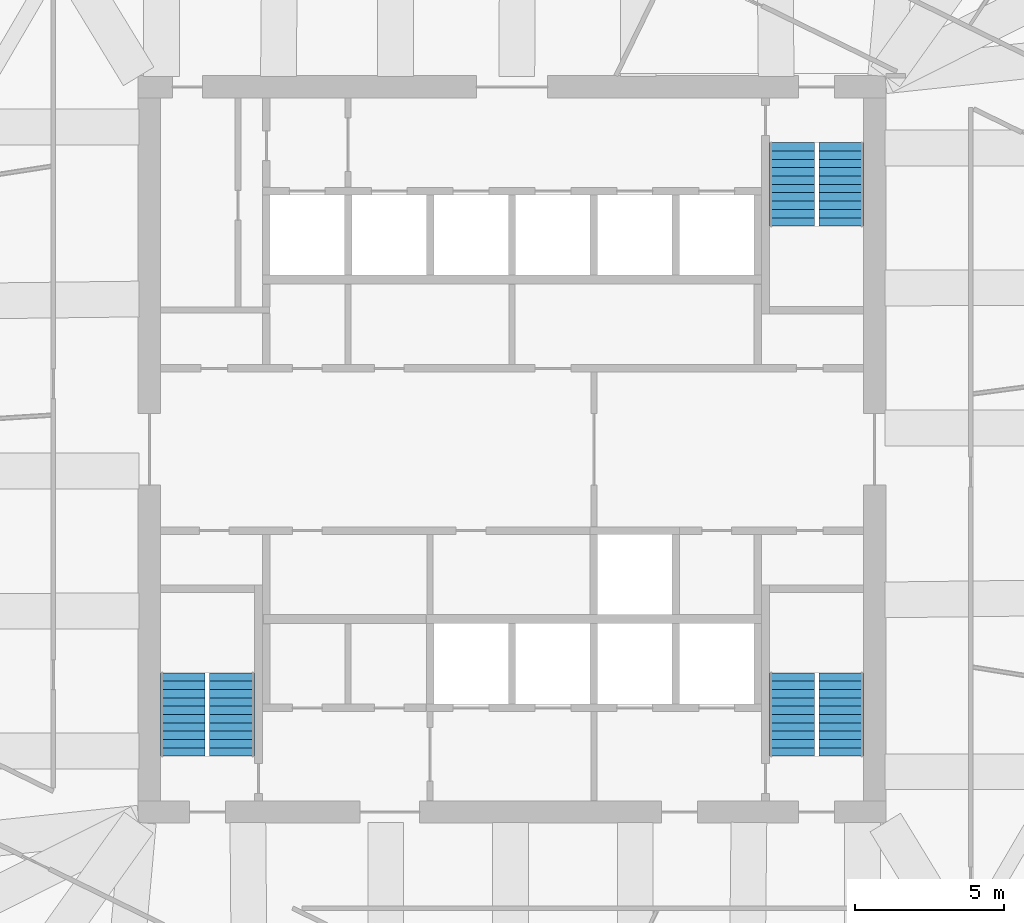
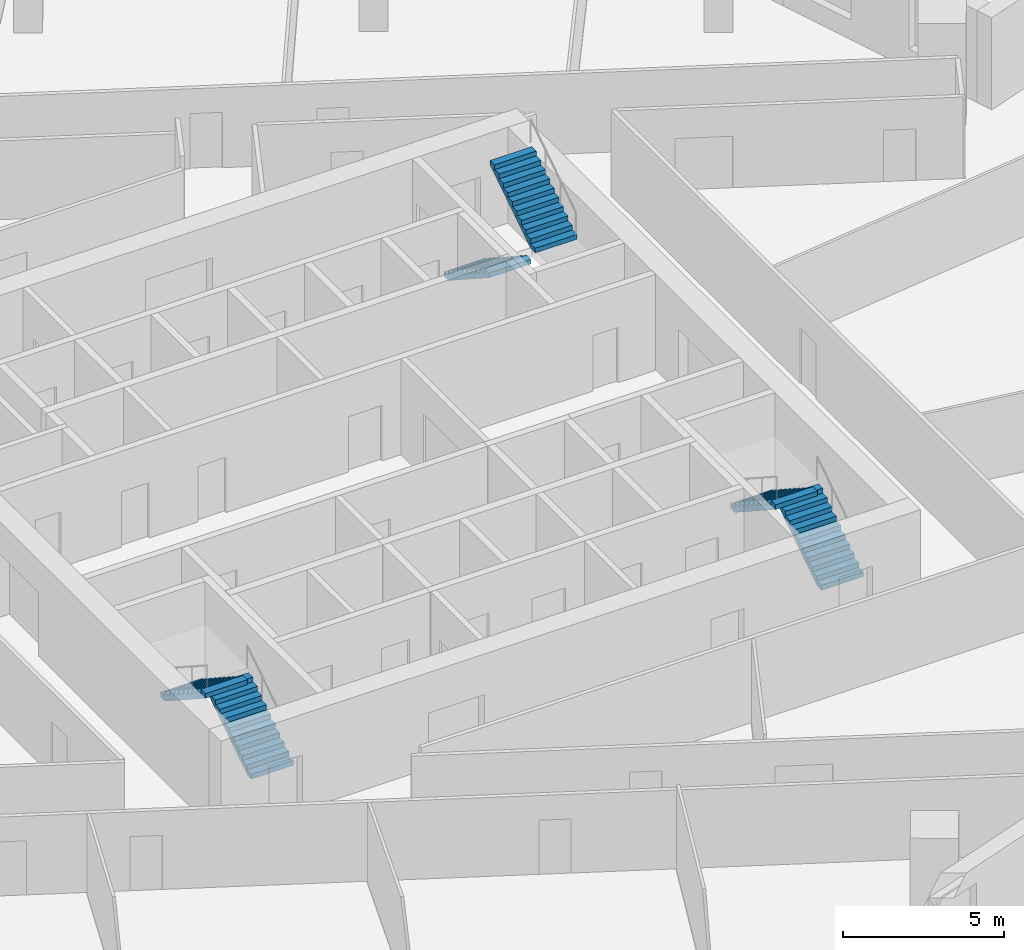
# One storey, part 11 of 13: 6 stair flights, 3 elements without a shape of their own.
"""IFC4 building model written with IfcOpenShell, lengths in metres."""

from ifc_helpers import new_model, si_unit, direction, frame, origin, place, context, subcontext, project, spatial, polyline, outline, extrude, material, type_object, element, aggregate, save


model = new_model("IFC4")

# Units and contexts
model_context = context("Model", 3, precision=1e-05, world=origin(), true_north=direction((0.0, 1.0)))
body_context = subcontext(model_context, "Body", "Model", "MODEL_VIEW")
ifc_project = project(units=[si_unit("LENGTHUNIT", "METRE"), si_unit("AREAUNIT", "SQUARE_METRE"), si_unit("VOLUMEUNIT", "CUBIC_METRE"), si_unit("PLANEANGLEUNIT", "RADIAN"), si_unit("MASSUNIT", "GRAM", prefix="KILO")], contexts=[model_context])

# Site, building, storey
site_placement = place(None, origin())
site = spatial("IfcSite", under=ifc_project, at=site_placement, CompositionType="ELEMENT")
building_placement = place(site_placement, origin())
building = spatial("IfcBuilding", under=site, at=building_placement, Name="Dilmun Exchange Tower", CompositionType="ELEMENT")
storey_placement = place(building_placement, frame((0.0, 0.0, 286.89990234375)))
storey = spatial("IfcBuildingStorey", under=building, at=storey_placement, Name="L68", CompositionType="ELEMENT", Elevation=286.89990234375)

# Stair, stair flights
ifc_material = material(Name="Concrete C40/50", Category="concrete")
stair_type = type_object("IfcStairType", Name="Exit stair 1500 half-turn", PredefinedType="HALF_TURN_STAIR", material=ifc_material)
stair_1_placement = place(storey_placement, origin())
stair_1 = element("IfcStair", 1, at=stair_1_placement, inside=storey, type_object=stair_type, Name="L68 Protected exit stair ST1", PredefinedType="HALF_TURN_STAIR")
stair_flight_type = type_object("IfcStairFlightType", Name="Exit stair flight 1500", PredefinedType="STRAIGHT", material=ifc_material)
stair_flight_1_placement = place(storey_placement, frame((9.39990234375, 10.300048828125, 0.0), z_axis=(0.0, 0.0, 1.0), x_axis=(0.0, -1.0, 0.0)))
stair_flight_1 = element("IfcStairFlight", 2, at=stair_flight_1_placement, type_object=stair_flight_type, Name="ST1 flight 1", NumberOfRisers=11, NumberOfTreads=10, PredefinedType="STRAIGHT", RiserHeight=0.181818182, TreadLength=0.28, context=body_context, shape_type="SweptSolid", body=[
    extrude(outline(polyline([(0.0, 0.0), (0.0, 0.181884765625), (0.280029296875, 0.181884765625), (0.280029296875, 0.363525390625), (0.56005859375, 0.363525390625), (0.56005859375, 0.54541015625), (0.840087890625, 0.54541015625), (0.840087890625, 0.727294921875), (1.1201171875, 0.727294921875), (1.1201171875, 0.9091796875), (1.39990234375, 0.9091796875), (1.39990234375, 1.0908203125), (1.679931640625, 1.0908203125), (1.679931640625, 1.272705078125), (1.9599609375, 1.272705078125), (1.9599609375, 1.45458984375), (2.239990234375, 1.45458984375), (2.239990234375, 1.636474609375), (2.52001953125, 1.636474609375), (2.52001953125, 1.818115234375), (2.800048828125, 1.818115234375), (2.800048828125, 2.0), (2.800048828125, 1.639404296875), (0.275146484375, 0.0), (0.0, 0.0)])), frame((0.0, 0.75, 0.0), z_axis=(0.0, -1.0, 0.0), x_axis=(1.0, 0.0, 0.0)), (0.0, 0.0, 1.0), 1.5),
])
stair_flight_2_placement = place(storey_placement, frame((11.050048828125, 7.5, 2.0), z_axis=(0.0, 0.0, 1.0), x_axis=(0.0, 1.0, 0.0)))
stair_flight_2 = element("IfcStairFlight", 3, at=stair_flight_2_placement, type_object=stair_flight_type, Name="ST1 flight 2", NumberOfRisers=11, NumberOfTreads=10, PredefinedType="STRAIGHT", RiserHeight=0.181818182, TreadLength=0.28, context=body_context, shape_type="SweptSolid", body=[
    extrude(outline(polyline([(0.0, 0.0), (0.0, 0.181884765625), (0.280029296875, 0.181884765625), (0.280029296875, 0.363525390625), (0.56005859375, 0.363525390625), (0.56005859375, 0.54541015625), (0.840087890625, 0.54541015625), (0.840087890625, 0.727294921875), (1.1201171875, 0.727294921875), (1.1201171875, 0.9091796875), (1.39990234375, 0.9091796875), (1.39990234375, 1.0908203125), (1.679931640625, 1.0908203125), (1.679931640625, 1.272705078125), (1.9599609375, 1.272705078125), (1.9599609375, 1.45458984375), (2.239990234375, 1.45458984375), (2.239990234375, 1.636474609375), (2.52001953125, 1.636474609375), (2.52001953125, 1.818115234375), (2.800048828125, 1.818115234375), (2.800048828125, 2.0), (2.800048828125, 1.639404296875), (0.275146484375, 0.0), (0.0, 0.0)])), frame((0.0, 0.75, 0.0), z_axis=(0.0, -1.0, 0.0), x_axis=(1.0, 0.0, 0.0)), (0.0, 0.0, 1.0), 1.5),
])
aggregate(stair_1, [stair_flight_1, stair_flight_2])

stair_2_placement = place(storey_placement, origin())
stair_2 = element("IfcStair", 4, at=stair_2_placement, inside=storey, type_object=stair_type, Name="L68 Protected exit stair ST2", PredefinedType="HALF_TURN_STAIR")
stair_flight_3_placement = place(storey_placement, frame((-9.39990234375, -10.300048828125, 0.0), z_axis=(0.0, 0.0, 1.0), x_axis=(0.0, 1.0, 0.0)))
stair_flight_3 = element("IfcStairFlight", 5, at=stair_flight_3_placement, type_object=stair_flight_type, Name="ST2 flight 1", NumberOfRisers=11, NumberOfTreads=10, PredefinedType="STRAIGHT", RiserHeight=0.181818182, TreadLength=0.28, context=body_context, shape_type="SweptSolid", body=[
    extrude(outline(polyline([(0.0, 0.0), (0.0, 0.181884765625), (0.280029296875, 0.181884765625), (0.280029296875, 0.363525390625), (0.56005859375, 0.363525390625), (0.56005859375, 0.54541015625), (0.840087890625, 0.54541015625), (0.840087890625, 0.727294921875), (1.1201171875, 0.727294921875), (1.1201171875, 0.9091796875), (1.39990234375, 0.9091796875), (1.39990234375, 1.0908203125), (1.679931640625, 1.0908203125), (1.679931640625, 1.272705078125), (1.9599609375, 1.272705078125), (1.9599609375, 1.45458984375), (2.239990234375, 1.45458984375), (2.239990234375, 1.636474609375), (2.52001953125, 1.636474609375), (2.52001953125, 1.818115234375), (2.800048828125, 1.818115234375), (2.800048828125, 2.0), (2.800048828125, 1.639404296875), (0.275146484375, 0.0), (0.0, 0.0)])), frame((0.0, 0.75, 0.0), z_axis=(0.0, -1.0, 0.0), x_axis=(1.0, 0.0, 0.0)), (0.0, 0.0, 1.0), 1.5),
])
stair_flight_4_placement = place(storey_placement, frame((-11.050048828125, -7.5, 2.0), z_axis=(0.0, 0.0, 1.0), x_axis=(0.0, -1.0, 0.0)))
stair_flight_4 = element("IfcStairFlight", 6, at=stair_flight_4_placement, type_object=stair_flight_type, Name="ST2 flight 2", NumberOfRisers=11, NumberOfTreads=10, PredefinedType="STRAIGHT", RiserHeight=0.181818182, TreadLength=0.28, context=body_context, shape_type="SweptSolid", body=[
    extrude(outline(polyline([(0.0, 0.0), (0.0, 0.181884765625), (0.280029296875, 0.181884765625), (0.280029296875, 0.363525390625), (0.56005859375, 0.363525390625), (0.56005859375, 0.54541015625), (0.840087890625, 0.54541015625), (0.840087890625, 0.727294921875), (1.1201171875, 0.727294921875), (1.1201171875, 0.9091796875), (1.39990234375, 0.9091796875), (1.39990234375, 1.0908203125), (1.679931640625, 1.0908203125), (1.679931640625, 1.272705078125), (1.9599609375, 1.272705078125), (1.9599609375, 1.45458984375), (2.239990234375, 1.45458984375), (2.239990234375, 1.636474609375), (2.52001953125, 1.636474609375), (2.52001953125, 1.818115234375), (2.800048828125, 1.818115234375), (2.800048828125, 2.0), (2.800048828125, 1.639404296875), (0.275146484375, 0.0), (0.0, 0.0)])), frame((0.0, 0.75, 0.0), z_axis=(0.0, -1.0, 0.0), x_axis=(1.0, 0.0, 0.0)), (0.0, 0.0, 1.0), 1.5),
])
aggregate(stair_2, [stair_flight_3, stair_flight_4])

stair_3_placement = place(storey_placement, origin())
stair_3 = element("IfcStair", 7, at=stair_3_placement, inside=storey, type_object=stair_type, Name="L68 Protected exit stair ST3", PredefinedType="HALF_TURN_STAIR")
stair_flight_5_placement = place(storey_placement, frame((11.050048828125, -10.300048828125, 0.0), z_axis=(0.0, 0.0, 1.0), x_axis=(0.0, 1.0, 0.0)))
stair_flight_5 = element("IfcStairFlight", 8, at=stair_flight_5_placement, type_object=stair_flight_type, Name="ST3 flight 1", NumberOfRisers=11, NumberOfTreads=10, PredefinedType="STRAIGHT", RiserHeight=0.181818182, TreadLength=0.28, context=body_context, shape_type="SweptSolid", body=[
    extrude(outline(polyline([(0.0, 0.0), (0.0, 0.181884765625), (0.280029296875, 0.181884765625), (0.280029296875, 0.363525390625), (0.56005859375, 0.363525390625), (0.56005859375, 0.54541015625), (0.840087890625, 0.54541015625), (0.840087890625, 0.727294921875), (1.1201171875, 0.727294921875), (1.1201171875, 0.9091796875), (1.39990234375, 0.9091796875), (1.39990234375, 1.0908203125), (1.679931640625, 1.0908203125), (1.679931640625, 1.272705078125), (1.9599609375, 1.272705078125), (1.9599609375, 1.45458984375), (2.239990234375, 1.45458984375), (2.239990234375, 1.636474609375), (2.52001953125, 1.636474609375), (2.52001953125, 1.818115234375), (2.800048828125, 1.818115234375), (2.800048828125, 2.0), (2.800048828125, 1.639404296875), (0.275146484375, 0.0), (0.0, 0.0)])), frame((0.0, 0.75, 0.0), z_axis=(0.0, -1.0, 0.0), x_axis=(1.0, 0.0, 0.0)), (0.0, 0.0, 1.0), 1.5),
])
stair_flight_6_placement = place(storey_placement, frame((9.39990234375, -7.5, 2.0), z_axis=(0.0, 0.0, 1.0), x_axis=(0.0, -1.0, 0.0)))
stair_flight_6 = element("IfcStairFlight", 9, at=stair_flight_6_placement, type_object=stair_flight_type, Name="ST3 flight 2", NumberOfRisers=11, NumberOfTreads=10, PredefinedType="STRAIGHT", RiserHeight=0.181818182, TreadLength=0.28, context=body_context, shape_type="SweptSolid", body=[
    extrude(outline(polyline([(0.0, 0.0), (0.0, 0.181884765625), (0.280029296875, 0.181884765625), (0.280029296875, 0.363525390625), (0.56005859375, 0.363525390625), (0.56005859375, 0.54541015625), (0.840087890625, 0.54541015625), (0.840087890625, 0.727294921875), (1.1201171875, 0.727294921875), (1.1201171875, 0.9091796875), (1.39990234375, 0.9091796875), (1.39990234375, 1.0908203125), (1.679931640625, 1.0908203125), (1.679931640625, 1.272705078125), (1.9599609375, 1.272705078125), (1.9599609375, 1.45458984375), (2.239990234375, 1.45458984375), (2.239990234375, 1.636474609375), (2.52001953125, 1.636474609375), (2.52001953125, 1.818115234375), (2.800048828125, 1.818115234375), (2.800048828125, 2.0), (2.800048828125, 1.639404296875), (0.275146484375, 0.0), (0.0, 0.0)])), frame((0.0, 0.75, 0.0), z_axis=(0.0, -1.0, 0.0), x_axis=(1.0, 0.0, 0.0)), (0.0, 0.0, 1.0), 1.5),
])
aggregate(stair_3, [stair_flight_5, stair_flight_6])

save(model, "model.ifc")
